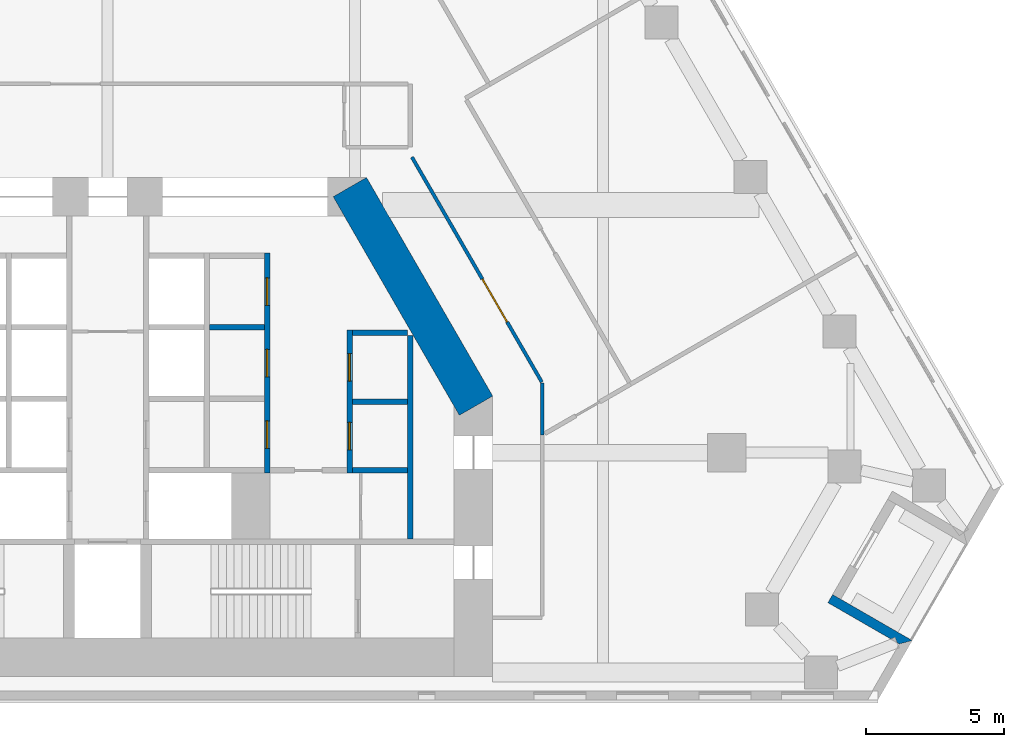
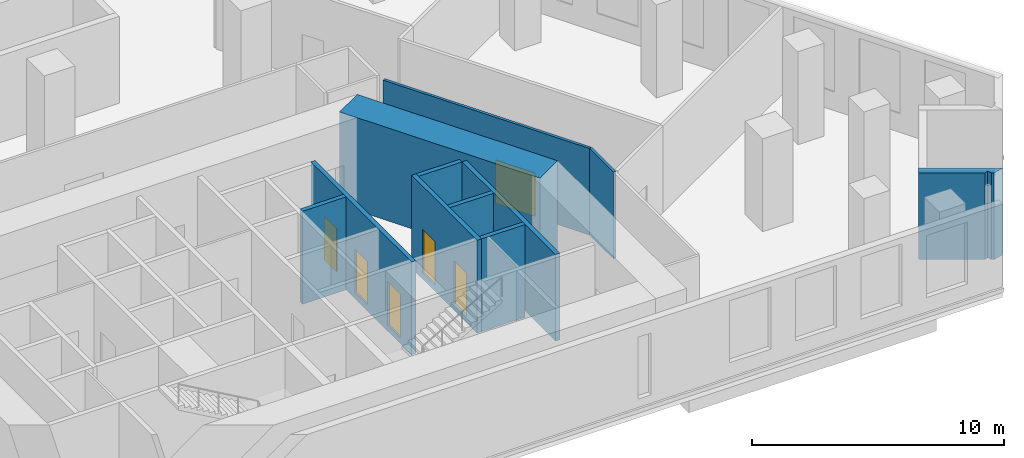
# One storey, part 6 of 14: 11 walls, 6 doors, 6 openings.
"""IFC4 building model written with IfcOpenShell, lengths in metres."""

from ifc_helpers import new_model, si_unit, direction, frame, frame_2d, origin, place, context, subcontext, project, spatial, polyline, rectangle, outline, extrude, material, layer, layer_set, type_object, element, fill, save


model = new_model("IFC4")

# Units and contexts
model_context = context("Model", 3, precision=1e-05, world=origin(), true_north=direction((0.0, 1.0)))
body_context = subcontext(model_context, "Body", "Model", "MODEL_VIEW")
ifc_project = project(units=[si_unit("LENGTHUNIT", "METRE"), si_unit("AREAUNIT", "SQUARE_METRE"), si_unit("VOLUMEUNIT", "CUBIC_METRE"), si_unit("PLANEANGLEUNIT", "RADIAN"), si_unit("MASSUNIT", "GRAM", prefix="KILO")], contexts=[model_context])

# Site, building, storey
site_placement = place(None, origin())
site = spatial("IfcSite", under=ifc_project, at=site_placement, CompositionType="ELEMENT")
building_placement = place(site_placement, origin())
building = spatial("IfcBuilding", under=site, at=building_placement, Name="Fogline Exchange Tower", CompositionType="ELEMENT")
storey_placement = place(building_placement, frame((0.0, 0.0, 34.0)))
storey = spatial("IfcBuildingStorey", under=building, at=storey_placement, Name="L06", CompositionType="ELEMENT", Elevation=34.0)

# Wall
ifc_material_1 = material(Name="Concrete C40", Category="concrete")
ifc_layer_1 = layer(ifc_material_1, 0.199951171875)
ifc_layer_set_1 = layer_set([ifc_layer_1], Name="CW20")
wall_type_1 = type_object("IfcWallType", Name="CW20", PredefinedType="SOLIDWALL", material=ifc_layer_set_1)
wall_1_placement = place(storey_placement, frame((11.0, 5.85009765625, 0.0), z_axis=(0.0, 0.0, 1.0), x_axis=(0.0, 1.0, 0.0)))
element("IfcWall", 1, at=wall_1_placement, inside=storey, type_object=wall_type_1, Name="Service room wall", PredefinedType="SOLIDWALL", context=body_context, shape_type="SweptSolid", body=[
    extrude(rectangle(XDim=7.39990234375, YDim=0.199951171875, at=frame_2d((3.699951171875, 0.0))), origin(), (0.0, 0.0, 1.0), 4.199951171875),
])

# Wall, openings, doors
ifc_layer_2 = layer(ifc_material_1, 0.199951171875)
ifc_layer_set_2 = layer_set([ifc_layer_2], Name="CW20S")
wall_type_2 = type_object("IfcWallType", Name="CW20S", PredefinedType="SOLIDWALL", material=ifc_layer_set_2)
wall_2_placement = place(storey_placement, frame((8.800048828125, 8.25, -0.300048828125), z_axis=(0.0, 0.0, 1.0), x_axis=(0.0, 1.0, 0.0)))
wall_2 = element("IfcWall", 2, at=wall_2_placement, inside=storey, type_object=wall_type_2, Name="Lift shaft wall", PredefinedType="SOLIDWALL", context=body_context, shape_type="SweptSolid", body=[
    extrude(rectangle(XDim=5.199951171875, YDim=0.199951171875, at=frame_2d((2.60009765625, 0.0))), origin(), (0.0, 0.0, 1.0), 4.5),
])
opening_1_placement = place(wall_2_placement, frame((0.85009765625, 0.0, 0.300048828125)))
opening_1 = element("IfcOpeningElement", 3, at=opening_1_placement, cuts=wall_2, Name="Opening T01-C001", PredefinedType="OPENING", context=body_context, shape_type="SweptSolid", body=[
    extrude(rectangle(XDim=1.0, YDim=2.10009765625, at=frame_2d((0.5, 1.050048828125))), frame((0.0, 0.10986328125, 0.0), z_axis=(0.0, -1.0, 0.0), x_axis=(1.0, 0.0, 0.0)), (0.0, 0.0, 1.0), 0.219970703125),
])
opening_2_placement = place(wall_2_placement, frame((3.35009765625, 0.0, 0.300048828125)))
opening_2 = element("IfcOpeningElement", 4, at=opening_2_placement, cuts=wall_2, Name="Opening T01-C002", PredefinedType="OPENING", context=body_context, shape_type="SweptSolid", body=[
    extrude(rectangle(XDim=1.0, YDim=2.10009765625, at=frame_2d((0.5, 1.050048828125))), frame((0.0, 0.10986328125, 0.0), z_axis=(0.0, -1.0, 0.0), x_axis=(1.0, 0.0, 0.0)), (0.0, 0.0, 1.0), 0.219970703125),
])
ifc_material_2 = material(Name="Steel and timber fire door", Category="steel")
door_type_1 = type_object("IfcDoorType", Name="D-RM1", OperationType="SINGLE_SWING_LEFT", PredefinedType="DOOR", material=ifc_material_2)
door_1_placement = place(opening_1_placement, frame((1.0, 0.0, 0.0), z_axis=(0.0, 0.0, 1.0), x_axis=(-1.0, 0.0, 0.0)))
door_1 = element("IfcDoor", 5, at=door_1_placement, inside=storey, type_object=door_type_1, Name="Door to Cable Store", OperationType="SINGLE_SWING_LEFT", OverallHeight=2.10009765625, OverallWidth=1.0, PredefinedType="DOOR", context=body_context, shape_type="SweptSolid", body=[
    extrude(rectangle(XDim=1.0, YDim=2.10009765625, at=frame_2d((0.5, 1.050048828125))), frame((0.0, 0.02490234375, 0.0), z_axis=(0.0, -1.0, 0.0), x_axis=(1.0, 0.0, 0.0)), (0.0, 0.0, 1.0), 0.050048828125),
])
fill(opening_1, door_1)
door_2_placement = place(opening_2_placement, frame((1.0, 0.0, 0.0), z_axis=(0.0, 0.0, 1.0), x_axis=(-1.0, 0.0, 0.0)))
door_2 = element("IfcDoor", 6, at=door_2_placement, inside=storey, type_object=door_type_1, Name="Door to Server Room", OperationType="SINGLE_SWING_LEFT", OverallHeight=2.10009765625, OverallWidth=1.0, PredefinedType="DOOR", context=body_context, shape_type="SweptSolid", body=[
    extrude(rectangle(XDim=1.0, YDim=2.10009765625, at=frame_2d((0.5, 1.050048828125))), frame((0.0, 0.02490234375, 0.0), z_axis=(0.0, -1.0, 0.0), x_axis=(1.0, 0.0, 0.0)), (0.0, 0.0, 1.0), 0.050048828125),
])
fill(opening_2, door_2)

wall_3_placement = place(storey_placement, frame((5.800048828125, 8.25, -0.300048828125), z_axis=(0.0, 0.0, 1.0), x_axis=(0.0, 1.0, 0.0)))
wall_3 = element("IfcWall", 7, at=wall_3_placement, inside=storey, type_object=wall_type_2, Name="Lift shaft wall", PredefinedType="SOLIDWALL", context=body_context, shape_type="SweptSolid", body=[
    extrude(rectangle(XDim=8.0, YDim=0.199951171875, at=frame_2d((4.0, 0.0))), origin(), (0.0, 0.0, 1.0), 4.5),
])
opening_3_placement = place(wall_3_placement, frame((0.89990234375, 0.0, 0.300048828125)))
opening_3 = element("IfcOpeningElement", 8, at=opening_3_placement, cuts=wall_3, Name="Opening T01-C003", PredefinedType="OPENING", context=body_context, shape_type="SweptSolid", body=[
    extrude(rectangle(XDim=1.0, YDim=2.10009765625, at=frame_2d((0.5, 1.050048828125))), frame((0.0, 0.10986328125, 0.0), z_axis=(0.0, -1.0, 0.0), x_axis=(1.0, 0.0, 0.0)), (0.0, 0.0, 1.0), 0.219970703125),
])
opening_4_placement = place(wall_3_placement, frame((3.5, 0.0, 0.300048828125)))
opening_4 = element("IfcOpeningElement", 9, at=opening_4_placement, cuts=wall_3, Name="Opening T01-C004", PredefinedType="OPENING", context=body_context, shape_type="SweptSolid", body=[
    extrude(rectangle(XDim=1.0, YDim=2.10009765625, at=frame_2d((0.5, 1.050048828125))), frame((0.0, 0.10986328125, 0.0), z_axis=(0.0, -1.0, 0.0), x_axis=(1.0, 0.0, 0.0)), (0.0, 0.0, 1.0), 0.219970703125),
])
opening_5_placement = place(wall_3_placement, frame((6.10009765625, 0.0, 0.300048828125)))
opening_5 = element("IfcOpeningElement", 10, at=opening_5_placement, cuts=wall_3, Name="Opening T01-C005", PredefinedType="OPENING", context=body_context, shape_type="SweptSolid", body=[
    extrude(rectangle(XDim=1.0, YDim=2.10009765625, at=frame_2d((0.5, 1.050048828125))), frame((0.0, 0.10986328125, 0.0), z_axis=(0.0, -1.0, 0.0), x_axis=(1.0, 0.0, 0.0)), (0.0, 0.0, 1.0), 0.219970703125),
])
door_3_placement = place(opening_3_placement, origin())
door_3 = element("IfcDoor", 11, at=door_3_placement, inside=storey, type_object=door_type_1, Name="Door to Archive Store", OperationType="SINGLE_SWING_RIGHT", OverallHeight=2.10009765625, OverallWidth=1.0, PredefinedType="DOOR", context=body_context, shape_type="SweptSolid", body=[
    extrude(rectangle(XDim=1.0, YDim=2.10009765625, at=frame_2d((0.5, 1.050048828125))), frame((0.0, 0.02490234375, 0.0), z_axis=(0.0, -1.0, 0.0), x_axis=(1.0, 0.0, 0.0)), (0.0, 0.0, 1.0), 0.050048828125),
])
fill(opening_3, door_3)
door_4_placement = place(opening_4_placement, origin())
door_4 = element("IfcDoor", 12, at=door_4_placement, inside=storey, type_object=door_type_1, Name="Door to Library Store", OperationType="SINGLE_SWING_LEFT", OverallHeight=2.10009765625, OverallWidth=1.0, PredefinedType="DOOR", context=body_context, shape_type="SweptSolid", body=[
    extrude(rectangle(XDim=1.0, YDim=2.10009765625, at=frame_2d((0.5, 1.050048828125))), frame((0.0, 0.02490234375, 0.0), z_axis=(0.0, -1.0, 0.0), x_axis=(1.0, 0.0, 0.0)), (0.0, 0.0, 1.0), 0.050048828125),
])
fill(opening_4, door_4)
door_5_placement = place(opening_5_placement, origin())
door_5 = element("IfcDoor", 13, at=door_5_placement, inside=storey, type_object=door_type_1, Name="Door to Stationery Store", OperationType="SINGLE_SWING_LEFT", OverallHeight=2.10009765625, OverallWidth=1.0, PredefinedType="DOOR", context=body_context, shape_type="SweptSolid", body=[
    extrude(rectangle(XDim=1.0, YDim=2.10009765625, at=frame_2d((0.5, 1.050048828125))), frame((0.0, 0.02490234375, 0.0), z_axis=(0.0, -1.0, 0.0), x_axis=(1.0, 0.0, 0.0)), (0.0, 0.0, 1.0), 0.050048828125),
])
fill(opening_5, door_5)

# Walls
for number, where, z_axis, x_axis, name in (
    (14, (8.89990234375, 8.35009765625, -0.300048828125), (0.0, 0.0, 1.0), (1.0, 0.0, 0.0), "Lift shaft wall"),
    (15, (8.89990234375, 10.85009765625, -0.300048828125), (0.0, 0.0, 1.0), (1.0, 0.0, 0.0), "Lift shaft wall"),
    (16, (8.89990234375, 13.35009765625, -0.300048828125), (0.0, 0.0, 1.0), (1.0, 0.0, 0.0), "Lift shaft wall"),
    (17, (3.699951171875, 13.550048828125, -0.300048828125), (0.0, 0.0, 1.0), (1.0, 0.0, 0.0), "Lift shaft wall"),
):
    element("IfcWall", number, at=place(storey_placement, frame(where, z_axis=z_axis, x_axis=x_axis)), inside=storey, type_object=wall_type_2, Name=name, PredefinedType="SOLIDWALL", context=body_context, shape_type="SweptSolid", body=[
        extrude(rectangle(XDim=2.0, YDim=0.199951171875, at=frame_2d((1.0, 0.0))), origin(), (0.0, 0.0, 1.0), 4.5),
    ])
ifc_material_3 = material(Name="Brick masonry", Category="masonry")
ifc_layer_3 = layer(ifc_material_3, 0.340087890625)
ifc_layer_set_3 = layer_set([ifc_layer_3], Name="FW1")
wall_type_3 = type_object("IfcWallType", Name="FW1", PredefinedType="SOLIDWALL", material=ifc_layer_set_3)
wall_4_placement = place(storey_placement, origin())
element("IfcWall", 18, at=wall_4_placement, inside=storey, type_object=wall_type_3, Name="Brick wall L06 SE-s1", PredefinedType="SOLIDWALL", context=body_context, shape_type="SweptSolid", body=[
    extrude(outline(polyline([(26.357177734375, 3.8359375), (26.652099609375, 3.66552734375), (29.251220703125, 2.1650390625), (29.251220703125, 2.164794921875), (28.785400390625, 2.0400390625), (28.69677734375, 2.091064453125), (28.623046875, 2.278076171875), (28.474609375, 2.219482421875), (26.186767578125, 3.540283203125), (26.357177734375, 3.8359375)])), origin(), (0.0, 0.0, 1.0), 4.199951171875),
])

# Wall, opening, door
ifc_material_4 = material(Name="Plasterboard corridor partition with mineral wool, 2 layers each side")
ifc_layer_4 = layer(ifc_material_4, 0.125)
ifc_layer_set_4 = layer_set([ifc_layer_4], Name="PW2")
wall_type_4 = type_object("IfcWallType", Name="PW2", PredefinedType="PARTITIONING", material=ifc_layer_set_4)
wall_5_placement = place(storey_placement, frame((11.0625, 19.740478515625, 0.0), z_axis=(0.0, 0.0, 1.0), x_axis=(0.499995462694, -0.866028023383, 0.0)))
wall_5 = element("IfcWall", 19, at=wall_5_placement, inside=storey, type_object=wall_type_4, Name="wall-L06-W001", PredefinedType="PARTITIONING", context=body_context, shape_type="SweptSolid", body=[
    extrude(rectangle(XDim=9.44384765625, YDim=0.125, at=frame_2d((4.721923828125, 0.0))), origin(), (0.0, 0.0, 1.0), 4.199951171875),
])
opening_6_placement = place(wall_5_placement, frame((5.120849609375, 0.0, 0.0)))
opening_6 = element("IfcOpeningElement", 20, at=opening_6_placement, cuts=wall_5, Name="Opening T01-D001", PredefinedType="OPENING", context=body_context, shape_type="SweptSolid", body=[
    extrude(rectangle(XDim=1.800048828125, YDim=2.10009765625, at=frame_2d((0.89990234375, 1.050048828125))), frame((0.0, 0.072509765625, 0.0), z_axis=(0.0, -1.0, 0.0), x_axis=(1.0, 0.0, 0.0)), (0.0, 0.0, 1.0), 0.14501953125),
])
ifc_material_5 = material(Name="Fire-rated timber door leaves with steel frame", Category="steel")
door_type_2 = type_object("IfcDoorType", Name="D4", OperationType="DOUBLE_DOOR_SINGLE_SWING", PredefinedType="DOOR", material=ifc_material_5)
door_6_placement = place(opening_6_placement, frame((1.800048828125, 0.0, 0.0), z_axis=(0.0, 0.0, 1.0), x_axis=(-1.0, 0.0, 0.0)))
door_6 = element("IfcDoor", 21, at=door_6_placement, inside=storey, type_object=door_type_2, Name="door-L06-D001", OperationType="DOUBLE_DOOR_SINGLE_SWING", OverallHeight=2.10009765625, OverallWidth=1.800048828125, PredefinedType="DOOR", context=body_context, shape_type="SweptSolid", body=[
    extrude(rectangle(XDim=1.800048828125, YDim=2.10009765625, at=frame_2d((0.89990234375, 1.050048828125))), frame((0.0, 0.02490234375, 0.0), z_axis=(0.0, -1.0, 0.0), x_axis=(1.0, 0.0, 0.0)), (0.0, 0.0, 1.0), 0.050048828125),
])
fill(opening_6, door_6)

# Walls
wall_6_placement = place(storey_placement, frame((15.800048828125, 11.534912109375, 0.0), z_axis=(0.0, 0.0, 1.0), x_axis=(0.0, -1.0, 0.0)))
element("IfcWall", 22, at=wall_6_placement, inside=storey, type_object=wall_type_4, Name="wall-L06-W002", PredefinedType="PARTITIONING", context=body_context, shape_type="SweptSolid", body=[
    extrude(rectangle(XDim=1.90185546875, YDim=0.125, at=frame_2d((0.950927734375, 0.0))), origin(), (0.0, 0.0, 1.0), 4.199951171875),
])
ifc_material_6 = material(Name="Concrete C60", Category="concrete")
ifc_layer_5 = layer(ifc_material_6, 1.39990234375)
ifc_layer_set_5 = layer_set([ifc_layer_5], Name="SW01")
wall_type_5 = type_object("IfcWallType", Name="SW01", PredefinedType="SHEAR", material=ifc_layer_set_5)
wall_7_placement = place(storey_placement, frame((13.393798828125, 10.70263671875, 0.0), z_axis=(0.0, 0.0, 1.0), x_axis=(-0.50000187635, 0.866024320471, 0.0)))
element("IfcWall", 23, at=wall_7_placement, inside=storey, type_object=wall_type_5, Name="L06-W903", PredefinedType="SHEAR", context=body_context, shape_type="SweptSolid", body=[
    extrude(rectangle(XDim=9.1767578125, YDim=1.39990234375, at=frame_2d((4.58837890625, 0.0))), origin(), (0.0, 0.0, 1.0), 4.5),
])

save(model, "model.ifc")
